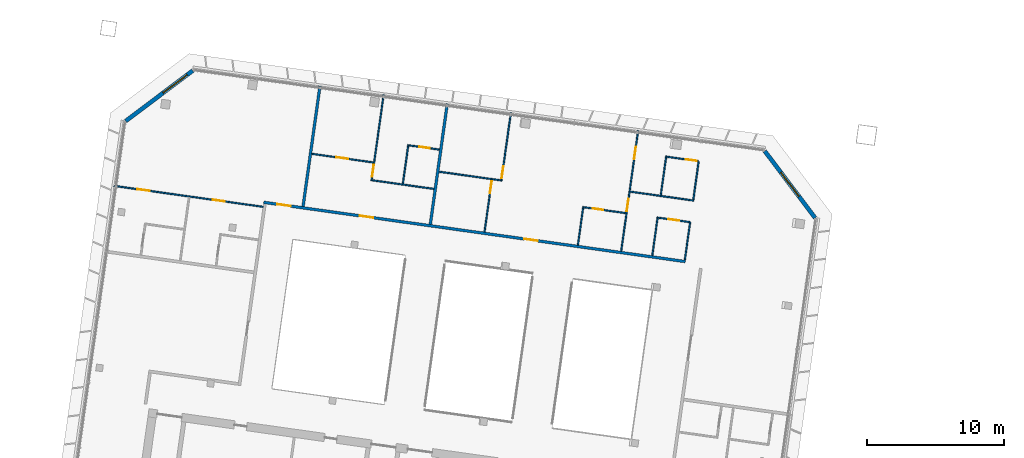
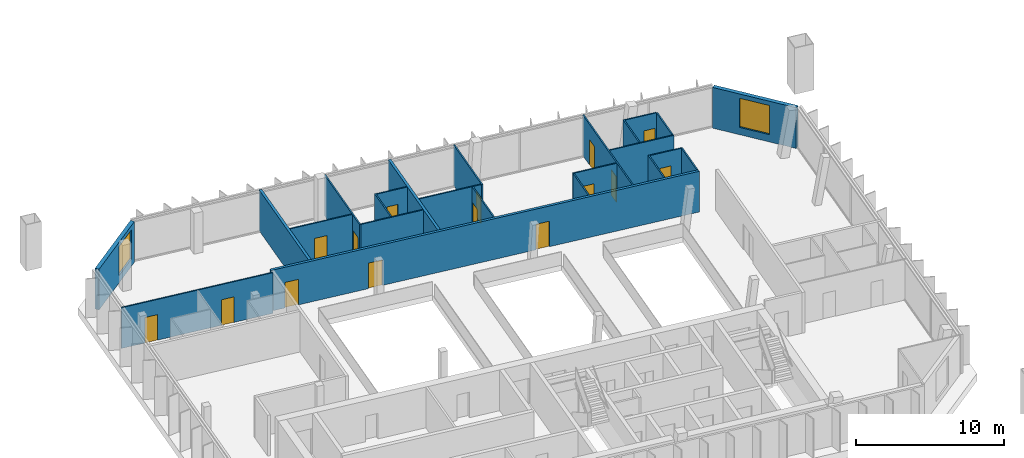
# One storey, part 14 of 20: 24 walls, 15 doors, 2 windows, 17 openings.
"""IFC4 building model written with IfcOpenShell, lengths in metres."""

from ifc_helpers import new_model, si_unit, direction, frame, frame_2d, origin, place, context, subcontext, project, spatial, rectangle, extrude, material, layer, layer_set, type_object, element, fill, save


model = new_model("IFC4")

# Units and contexts
model_context = context("Model", 3, precision=1e-05, world=origin(), true_north=direction((0.0, 1.0)))
body_context = subcontext(model_context, "Body", "Model", "MODEL_VIEW")
ifc_project = project(units=[si_unit("LENGTHUNIT", "METRE"), si_unit("AREAUNIT", "SQUARE_METRE"), si_unit("VOLUMEUNIT", "CUBIC_METRE"), si_unit("PLANEANGLEUNIT", "RADIAN"), si_unit("MASSUNIT", "GRAM", prefix="KILO")], contexts=[model_context])

# Site, building, storey
site_placement = place(None, origin())
site = spatial("IfcSite", under=ifc_project, at=site_placement, CompositionType="ELEMENT")
building_placement = place(site_placement, origin())
building = spatial("IfcBuilding", under=site, at=building_placement, Name="Mirante Cascada Hotel Towers", CompositionType="ELEMENT")
storey_placement = place(building_placement, frame((0.0, 0.0, 224.2)))
storey = spatial("IfcBuildingStorey", under=building, at=storey_placement, Name="L53", CompositionType="ELEMENT", Elevation=224.2)

# Wall, openings, doors
ifc_material_1 = material(Name="Fire-rated plasterboard on metal studs")
ifc_layer_1 = layer(ifc_material_1, 0.2)
ifc_layer_set_1 = layer_set([ifc_layer_1], Name="Compartment wall 200 EI 120")
wall_type_1 = type_object("IfcWallType", Name="Compartment wall 200 EI 120", PredefinedType="PARTITIONING", material=ifc_layer_set_1)
wall_1_placement = place(storey_placement, frame((-31.471, 8.305, 0.0), z_axis=(0.0, 0.0, 1.0), x_axis=(-0.9902679, 0.1391745, 0.0)))
wall_1 = element("IfcWall", 1, at=wall_1_placement, inside=storey, type_object=wall_type_1, Name="Wall 1-L53-14", PredefinedType="PARTITIONING", context=body_context, shape_type="SweptSolid", body=[
    extrude(rectangle(XDim=31.1092, YDim=0.2, at=frame_2d((15.5546, 0.0))), origin(), (0.0, 0.0, 1.0), 3.35),
])
opening_1_placement = place(wall_1_placement, frame((10.8847, 0.0, 0.0)))
opening_1 = element("IfcOpeningElement", 2, at=opening_1_placement, cuts=wall_1, Name="Opening D1-L53-06", PredefinedType="OPENING", context=body_context, shape_type="SweptSolid", body=[
    extrude(rectangle(XDim=1.0, YDim=2.1, at=frame_2d((0.5, 1.05))), frame((0.0, 0.1, 0.0), z_axis=(0.0, -1.0, 0.0), x_axis=(1.0, 0.0, 0.0)), (0.0, 0.0, 1.0), 0.2),
])
opening_2_placement = place(wall_1_placement, frame((23.0244, 0.0, 0.0)))
opening_2 = element("IfcOpeningElement", 3, at=opening_2_placement, cuts=wall_1, Name="Opening D1-L53-07", PredefinedType="OPENING", context=body_context, shape_type="SweptSolid", body=[
    extrude(rectangle(XDim=1.0, YDim=2.1, at=frame_2d((0.5, 1.05))), frame((0.0, 0.1, 0.0), z_axis=(0.0, -1.0, 0.0), x_axis=(1.0, 0.0, 0.0)), (0.0, 0.0, 1.0), 0.2),
])
opening_3_placement = place(wall_1_placement, frame((29.1142, 0.0, 0.0)))
opening_3 = element("IfcOpeningElement", 4, at=opening_3_placement, cuts=wall_1, Name="Opening D1-L53-08", PredefinedType="OPENING", context=body_context, shape_type="SweptSolid", body=[
    extrude(rectangle(XDim=1.0, YDim=2.1, at=frame_2d((0.5, 1.05))), frame((0.0, 0.1, 0.0), z_axis=(0.0, -1.0, 0.0), x_axis=(1.0, 0.0, 0.0)), (0.0, 0.0, 1.0), 0.2),
])
ifc_material_2 = material(Name="Fire-rated timber door leaf", Category="wood")
door_type_1 = type_object("IfcDoorType", Name="Entrance door DG1 1000x2100 EI 60", OperationType="SINGLE_SWING_LEFT", PredefinedType="DOOR", material=ifc_material_2)
door_1_placement = place(opening_1_placement, frame((1.0, 0.0, 0.0), z_axis=(0.0, 0.0, 1.0), x_axis=(-1.0, 0.0, 0.0)))
door_1 = element("IfcDoor", 5, at=door_1_placement, inside=storey, type_object=door_type_1, Name="Door D1-L53-06", OperationType="SINGLE_SWING_RIGHT", OverallHeight=2.1, OverallWidth=1.0, PredefinedType="DOOR", context=body_context, shape_type="SweptSolid", body=[
    extrude(rectangle(XDim=1.0, YDim=2.1, at=frame_2d((0.5, 1.05))), frame((0.0, 0.025, 0.0), z_axis=(0.0, -1.0, 0.0), x_axis=(1.0, 0.0, 0.0)), (0.0, 0.0, 1.0), 0.05),
])
fill(opening_1, door_1)
door_2_placement = place(opening_2_placement, frame((1.0, 0.0, 0.0), z_axis=(0.0, 0.0, 1.0), x_axis=(-1.0, 0.0, 0.0)))
door_2 = element("IfcDoor", 6, at=door_2_placement, inside=storey, type_object=door_type_1, Name="Door D1-L53-07", OperationType="SINGLE_SWING_RIGHT", OverallHeight=2.1, OverallWidth=1.0, PredefinedType="DOOR", context=body_context, shape_type="SweptSolid", body=[
    extrude(rectangle(XDim=1.0, YDim=2.1, at=frame_2d((0.5, 1.05))), frame((0.0, 0.025, 0.0), z_axis=(0.0, -1.0, 0.0), x_axis=(1.0, 0.0, 0.0)), (0.0, 0.0, 1.0), 0.05),
])
fill(opening_2, door_2)
door_3_placement = place(opening_3_placement, frame((1.0, 0.0, 0.0), z_axis=(0.0, 0.0, 1.0), x_axis=(-1.0, 0.0, 0.0)))
door_3 = element("IfcDoor", 7, at=door_3_placement, inside=storey, type_object=door_type_1, Name="Door D1-L53-08", OperationType="SINGLE_SWING_RIGHT", OverallHeight=2.1, OverallWidth=1.0, PredefinedType="DOOR", context=body_context, shape_type="SweptSolid", body=[
    extrude(rectangle(XDim=1.0, YDim=2.1, at=frame_2d((0.5, 1.05))), frame((0.0, 0.025, 0.0), z_axis=(0.0, -1.0, 0.0), x_axis=(1.0, 0.0, 0.0)), (0.0, 0.0, 1.0), 0.05),
])
fill(opening_3, door_3)

# Walls
for number, where, z_axis, x_axis, name in (
    (8, (-50.1034, 11.0246, 0.0), (0.0, 0.0, 1.0), (0.1391794, 0.9902672, 0.0), "Wall 1-L53-36"),
    (9, (-58.1631, 21.1448, 0.0), (0.0, 0.0, 1.0), (-0.1391794, -0.9902672, 0.0), "Wall 1-L53-39"),
):
    element("IfcWall", number, at=place(storey_placement, frame(where, z_axis=z_axis, x_axis=x_axis)), inside=storey, type_object=wall_type_1, Name=name, PredefinedType="PARTITIONING", context=body_context, shape_type="SweptSolid", body=[
        extrude(rectangle(XDim=8.9, YDim=0.2, at=frame_2d((4.45, 0.0))), origin(), (0.0, 0.0, 1.0), 3.35),
    ])

# Wall, openings, doors
ifc_material_3 = material(Name="Plasterboard on metal studs")
ifc_layer_2 = layer(ifc_material_3, 0.1)
ifc_layer_set_2 = layer_set([ifc_layer_2], Name="Partition 100")
wall_type_2 = type_object("IfcWallType", Name="Partition 100", PredefinedType="PARTITIONING", material=ifc_layer_set_2)
wall_2_placement = place(storey_placement, frame((-73.2167, 13.8354, 0.0), z_axis=(0.0, 0.0, 1.0), x_axis=(0.990268, -0.1391733, 0.0)))
wall_2 = element("IfcWall", 10, at=wall_2_placement, inside=storey, type_object=wall_type_2, Name="Wall 1-L53-13", PredefinedType="PARTITIONING", context=body_context, shape_type="SweptSolid", body=[
    extrude(rectangle(XDim=11.0, YDim=0.1, at=frame_2d((5.5, 0.0))), origin(), (0.0, 0.0, 1.0), 3.35),
])
opening_4_placement = place(wall_2_placement, frame((7.275, 0.0, 0.0)))
opening_4 = element("IfcOpeningElement", 11, at=opening_4_placement, cuts=wall_2, Name="Opening D1-L53-04", PredefinedType="OPENING", context=body_context, shape_type="SweptSolid", body=[
    extrude(rectangle(XDim=0.9, YDim=2.1, at=frame_2d((0.45, 1.05))), frame((0.0, 0.05, 0.0), z_axis=(0.0, -1.0, 0.0), x_axis=(1.0, 0.0, 0.0)), (0.0, 0.0, 1.0), 0.1),
])
opening_5_placement = place(wall_2_placement, frame((1.725, 0.0, 0.0)))
opening_5 = element("IfcOpeningElement", 12, at=opening_5_placement, cuts=wall_2, Name="Opening D1-L53-05", PredefinedType="OPENING", context=body_context, shape_type="SweptSolid", body=[
    extrude(rectangle(XDim=0.9, YDim=2.1, at=frame_2d((0.45, 1.05))), frame((0.0, 0.05, 0.0), z_axis=(0.0, -1.0, 0.0), x_axis=(1.0, 0.0, 0.0)), (0.0, 0.0, 1.0), 0.1),
])
ifc_material_4 = material(Name="Timber door leaf", Category="wood")
door_type_2 = type_object("IfcDoorType", Name="Room door DG3 900x2100", OperationType="SINGLE_SWING_LEFT", PredefinedType="DOOR", material=ifc_material_4)
door_4_placement = place(opening_4_placement, origin())
door_4 = element("IfcDoor", 13, at=door_4_placement, inside=storey, type_object=door_type_2, Name="Door D1-L53-04", OperationType="SINGLE_SWING_LEFT", OverallHeight=2.1, OverallWidth=0.9, PredefinedType="DOOR", context=body_context, shape_type="SweptSolid", body=[
    extrude(rectangle(XDim=0.9, YDim=2.1, at=frame_2d((0.45, 1.05))), frame((0.0, 0.025, 0.0), z_axis=(0.0, -1.0, 0.0), x_axis=(1.0, 0.0, 0.0)), (0.0, 0.0, 1.0), 0.05),
])
fill(opening_4, door_4)
door_5_placement = place(opening_5_placement, origin())
door_5 = element("IfcDoor", 14, at=door_5_placement, inside=storey, type_object=door_type_2, Name="Door D1-L53-05", OperationType="SINGLE_SWING_LEFT", OverallHeight=2.1, OverallWidth=0.9, PredefinedType="DOOR", context=body_context, shape_type="SweptSolid", body=[
    extrude(rectangle(XDim=0.9, YDim=2.1, at=frame_2d((0.45, 1.05))), frame((0.0, 0.025, 0.0), z_axis=(0.0, -1.0, 0.0), x_axis=(1.0, 0.0, 0.0)), (0.0, 0.0, 1.0), 0.05),
])
fill(opening_5, door_5)

# Wall
wall_3_placement = place(storey_placement, frame((-54.3412, 14.2457, 0.0), z_axis=(0.0, 0.0, 1.0), x_axis=(0.990269, -0.1391662, 0.0)))
element("IfcWall", 15, at=wall_3_placement, inside=storey, type_object=wall_type_2, Name="Wall 1-L53-15", PredefinedType="PARTITIONING", context=body_context, shape_type="SweptSolid", body=[
    extrude(rectangle(XDim=4.5449, YDim=0.1, at=frame_2d((2.2724, 0.0))), origin(), (0.0, 0.0, 1.0), 3.35),
])

# Wall, opening, door
wall_4_placement = place(storey_placement, frame((-31.1665, 11.1907, 0.0), z_axis=(0.0, 0.0, 1.0), x_axis=(-0.9902678, 0.1391749, 0.0)))
wall_4 = element("IfcWall", 16, at=wall_4_placement, inside=storey, type_object=wall_type_2, Name="Wall 1-L53-16", PredefinedType="PARTITIONING", context=body_context, shape_type="SweptSolid", body=[
    extrude(rectangle(XDim=2.3, YDim=0.1, at=frame_2d((1.15, 0.0))), origin(), (0.0, 0.0, 1.0), 3.35),
])
opening_6_placement = place(wall_4_placement, frame((0.75, 0.0, 0.0)))
opening_6 = element("IfcOpeningElement", 17, at=opening_6_placement, cuts=wall_4, Name="Opening D1-L53-09", PredefinedType="OPENING", context=body_context, shape_type="SweptSolid", body=[
    extrude(rectangle(XDim=0.8, YDim=2.1, at=frame_2d((0.4, 1.05))), frame((0.0, 0.05, 0.0), z_axis=(0.0, -1.0, 0.0), x_axis=(1.0, 0.0, 0.0)), (0.0, 0.0, 1.0), 0.1),
])
ifc_material_5 = material(Name="Timber door leaf", Category="wood")
door_type_3 = type_object("IfcDoorType", Name="Bathroom door DG4 800x2100", OperationType="SINGLE_SWING_LEFT", PredefinedType="DOOR", material=ifc_material_5)
door_6_placement = place(opening_6_placement, origin())
door_6 = element("IfcDoor", 18, at=door_6_placement, inside=storey, type_object=door_type_3, Name="Door D1-L53-09", OperationType="SINGLE_SWING_LEFT", OverallHeight=2.1, OverallWidth=0.8, PredefinedType="DOOR", context=body_context, shape_type="SweptSolid", body=[
    extrude(rectangle(XDim=0.8, YDim=2.1, at=frame_2d((0.4, 1.05))), frame((0.0, 0.025, 0.0), z_axis=(0.0, -1.0, 0.0), x_axis=(1.0, 0.0, 0.0)), (0.0, 0.0, 1.0), 0.05),
])
fill(opening_6, door_6)

wall_5_placement = place(storey_placement, frame((-38.9795, 12.2888, 0.0), z_axis=(0.0, 0.0, 1.0), x_axis=(0.9902656, -0.1391906, 0.0)))
wall_5 = element("IfcWall", 19, at=wall_5_placement, inside=storey, type_object=wall_type_2, Name="Wall 1-L53-17", PredefinedType="PARTITIONING", context=body_context, shape_type="SweptSolid", body=[
    extrude(rectangle(XDim=3.1949, YDim=0.1, at=frame_2d((1.5974, 0.0))), origin(), (0.0, 0.0, 1.0), 3.35),
])
opening_7_placement = place(wall_5_placement, frame((0.7398, 0.0, 0.0)))
opening_7 = element("IfcOpeningElement", 20, at=opening_7_placement, cuts=wall_5, Name="Opening D1-L53-10", PredefinedType="OPENING", context=body_context, shape_type="SweptSolid", body=[
    extrude(rectangle(XDim=0.8, YDim=2.1, at=frame_2d((0.4, 1.05))), frame((0.0, 0.05, 0.0), z_axis=(0.0, -1.0, 0.0), x_axis=(1.0, 0.0, 0.0)), (0.0, 0.0, 1.0), 0.1),
])
door_7_placement = place(opening_7_placement, origin())
door_7 = element("IfcDoor", 21, at=door_7_placement, inside=storey, type_object=door_type_3, Name="Door D1-L53-10", OperationType="SINGLE_SWING_LEFT", OverallHeight=2.1, OverallWidth=0.8, PredefinedType="DOOR", context=body_context, shape_type="SweptSolid", body=[
    extrude(rectangle(XDim=0.8, YDim=2.1, at=frame_2d((0.4, 1.05))), frame((0.0, 0.025, 0.0), z_axis=(0.0, -1.0, 0.0), x_axis=(1.0, 0.0, 0.0)), (0.0, 0.0, 1.0), 0.05),
])
fill(opening_7, door_7)

# Wall
wall_6_placement = place(storey_placement, frame((-44.961, 14.2402, 0.0), z_axis=(0.0, 0.0, 1.0), x_axis=(-0.9902686, 0.1391692, 0.0)))
element("IfcWall", 22, at=wall_6_placement, inside=storey, type_object=wall_type_2, Name="Wall 1-L53-18", PredefinedType="PARTITIONING", context=body_context, shape_type="SweptSolid", body=[
    extrude(rectangle(XDim=4.5448, YDim=0.1, at=frame_2d((2.2724, 0.0))), origin(), (0.0, 0.0, 1.0), 3.35),
])

# Wall, opening, door
wall_7_placement = place(storey_placement, frame((-58.76, 16.1795, 0.0), z_axis=(0.0, 0.0, 1.0), x_axis=(0.990269, -0.1391662, 0.0)))
wall_7 = element("IfcWall", 23, at=wall_7_placement, inside=storey, type_object=wall_type_2, Name="Wall 1-L53-19", PredefinedType="PARTITIONING", context=body_context, shape_type="SweptSolid", body=[
    extrude(rectangle(XDim=4.5449, YDim=0.1, at=frame_2d((2.2724, 0.0))), origin(), (0.0, 0.0, 1.0), 3.35),
])
opening_8_placement = place(wall_7_placement, frame((1.7974, 0.0, 0.0)))
opening_8 = element("IfcOpeningElement", 24, at=opening_8_placement, cuts=wall_7, Name="Opening D1-L53-11", PredefinedType="OPENING", context=body_context, shape_type="SweptSolid", body=[
    extrude(rectangle(XDim=0.9, YDim=2.1, at=frame_2d((0.45, 1.05))), frame((0.0, 0.05, 0.0), z_axis=(0.0, -1.0, 0.0), x_axis=(1.0, 0.0, 0.0)), (0.0, 0.0, 1.0), 0.1),
])
door_8_placement = place(opening_8_placement, frame((0.9, 0.0, 0.0), z_axis=(0.0, 0.0, 1.0), x_axis=(-1.0, 0.0, 0.0)))
door_8 = element("IfcDoor", 25, at=door_8_placement, inside=storey, type_object=door_type_2, Name="Door D1-L53-11", OperationType="SINGLE_SWING_RIGHT", OverallHeight=2.1, OverallWidth=0.9, PredefinedType="DOOR", context=body_context, shape_type="SweptSolid", body=[
    extrude(rectangle(XDim=0.9, YDim=2.1, at=frame_2d((0.45, 1.05))), frame((0.0, 0.025, 0.0), z_axis=(0.0, -1.0, 0.0), x_axis=(1.0, 0.0, 0.0)), (0.0, 0.0, 1.0), 0.05),
])
fill(opening_8, door_8)

# Wall
wall_8_placement = place(storey_placement, frame((-30.8448, 12.7612, 0.0), z_axis=(0.0, 0.0, 1.0), x_axis=(-0.9902681, 0.1391726, 0.0)))
element("IfcWall", 26, at=wall_8_placement, inside=storey, type_object=wall_type_2, Name="Wall 1-L53-20", PredefinedType="PARTITIONING", context=body_context, shape_type="SweptSolid", body=[
    extrude(rectangle(XDim=4.6949, YDim=0.1, at=frame_2d((2.3474, 0.0))), origin(), (0.0, 0.0, 1.0), 3.35),
])

# Wall, opening, door
wall_9_placement = place(storey_placement, frame((-51.665, 16.7981, 0.0), z_axis=(0.0, 0.0, 1.0), x_axis=(0.9902705, -0.1391561, 0.0)))
wall_9 = element("IfcWall", 27, at=wall_9_placement, inside=storey, type_object=wall_type_2, Name="Wall 1-L53-21", PredefinedType="PARTITIONING", context=body_context, shape_type="SweptSolid", body=[
    extrude(rectangle(XDim=2.25, YDim=0.1, at=frame_2d((1.125, 0.0))), origin(), (0.0, 0.0, 1.0), 3.35),
])
opening_9_placement = place(wall_9_placement, frame((0.75, 0.0, 0.0)))
opening_9 = element("IfcOpeningElement", 28, at=opening_9_placement, cuts=wall_9, Name="Opening D1-L53-12", PredefinedType="OPENING", context=body_context, shape_type="SweptSolid", body=[
    extrude(rectangle(XDim=0.8, YDim=2.1, at=frame_2d((0.4, 1.05))), frame((0.0, 0.05, 0.0), z_axis=(0.0, -1.0, 0.0), x_axis=(1.0, 0.0, 0.0)), (0.0, 0.0, 1.0), 0.1),
])
door_9_placement = place(opening_9_placement, origin())
door_9 = element("IfcDoor", 29, at=door_9_placement, inside=storey, type_object=door_type_3, Name="Door D1-L53-12", OperationType="SINGLE_SWING_LEFT", OverallHeight=2.1, OverallWidth=0.8, PredefinedType="DOOR", context=body_context, shape_type="SweptSolid", body=[
    extrude(rectangle(XDim=0.8, YDim=2.1, at=frame_2d((0.4, 1.05))), frame((0.0, 0.025, 0.0), z_axis=(0.0, -1.0, 0.0), x_axis=(1.0, 0.0, 0.0)), (0.0, 0.0, 1.0), 0.05),
])
fill(opening_9, door_9)

wall_10_placement = place(storey_placement, frame((-30.5402, 15.6469, 0.0), z_axis=(0.0, 0.0, 1.0), x_axis=(-0.9902678, 0.1391749, 0.0)))
wall_10 = element("IfcWall", 30, at=wall_10_placement, inside=storey, type_object=wall_type_2, Name="Wall 1-L53-22", PredefinedType="PARTITIONING", context=body_context, shape_type="SweptSolid", body=[
    extrude(rectangle(XDim=2.3, YDim=0.1, at=frame_2d((1.15, 0.0))), origin(), (0.0, 0.0, 1.0), 3.35),
])
opening_10_placement = place(wall_10_placement, frame((0.1, 0.0, 0.0)))
opening_10 = element("IfcOpeningElement", 31, at=opening_10_placement, cuts=wall_10, Name="Opening D1-L53-13", PredefinedType="OPENING", context=body_context, shape_type="SweptSolid", body=[
    extrude(rectangle(XDim=0.8, YDim=2.1, at=frame_2d((0.4, 1.05))), frame((0.0, 0.05, 0.0), z_axis=(0.0, -1.0, 0.0), x_axis=(1.0, 0.0, 0.0)), (0.0, 0.0, 1.0), 0.1),
])
door_10_placement = place(opening_10_placement, origin())
door_10 = element("IfcDoor", 32, at=door_10_placement, inside=storey, type_object=door_type_3, Name="Door D1-L53-13", OperationType="SINGLE_SWING_LEFT", OverallHeight=2.1, OverallWidth=0.8, PredefinedType="DOOR", context=body_context, shape_type="SweptSolid", body=[
    extrude(rectangle(XDim=0.8, YDim=2.1, at=frame_2d((0.4, 1.05))), frame((0.0, 0.025, 0.0), z_axis=(0.0, -1.0, 0.0), x_axis=(1.0, 0.0, 0.0)), (0.0, 0.0, 1.0), 0.05),
])
fill(opening_10, door_10)

# Walls
for number, where, z_axis, x_axis, name in (
    (33, (-31.5025, 8.4407, 0.0), (0.0, 0.0, 1.0), (0.139173, 0.9902681, 0.0), "Wall 1-L53-28"),
    (34, (-30.4948, 15.6103, 0.0), (0.0, 0.0, 1.0), (-0.139173, -0.9902681, 0.0), "Wall 1-L53-29"),
):
    element("IfcWall", number, at=place(storey_placement, frame(where, z_axis=z_axis, x_axis=x_axis)), inside=storey, type_object=wall_type_2, Name=name, PredefinedType="PARTITIONING", context=body_context, shape_type="SweptSolid", body=[
        extrude(rectangle(XDim=2.7901, YDim=0.1, at=frame_2d((1.395, 0.0))), origin(), (0.0, 0.0, 1.0), 3.35),
    ])
wall_11_placement = place(storey_placement, frame((-33.8833, 8.745, 0.0), z_axis=(0.0, 0.0, 1.0), x_axis=(0.1391909, 0.9902656, 0.0)))
element("IfcWall", 35, at=wall_11_placement, inside=storey, type_object=wall_type_2, Name="Wall 1-L53-30", PredefinedType="PARTITIONING", context=body_context, shape_type="SweptSolid", body=[
    extrude(rectangle(XDim=2.85, YDim=0.1, at=frame_2d((1.425, 0.0))), origin(), (0.0, 0.0, 1.0), 3.35),
])
wall_12_placement = place(storey_placement, frame((-32.8604, 16.0235, 0.0), z_axis=(0.0, 0.0, 1.0), x_axis=(-0.1391714, -0.9902683, 0.0)))
element("IfcWall", 36, at=wall_12_placement, inside=storey, type_object=wall_type_2, Name="Wall 1-L53-31", PredefinedType="PARTITIONING", context=body_context, shape_type="SweptSolid", body=[
    extrude(rectangle(XDim=2.9, YDim=0.1, at=frame_2d((1.45, 0.0))), origin(), (0.0, 0.0, 1.0), 3.35),
])

# Wall, openings, doors
wall_13_placement = place(storey_placement, frame((-36.1558, 9.0644, 0.0), z_axis=(0.0, 0.0, 1.0), x_axis=(0.1391684, 0.9902687, 0.0)))
wall_13 = element("IfcWall", 37, at=wall_13_placement, inside=storey, type_object=wall_type_2, Name="Wall 1-L53-32", PredefinedType="PARTITIONING", context=body_context, shape_type="SweptSolid", body=[
    extrude(rectangle(XDim=8.9, YDim=0.1, at=frame_2d((4.45, 0.0))), origin(), (0.0, 0.0, 1.0), 3.35),
])
opening_11_placement = place(wall_13_placement, frame((2.95, 0.0, 0.0)))
opening_11 = element("IfcOpeningElement", 38, at=opening_11_placement, cuts=wall_13, Name="Opening D1-L53-18", PredefinedType="OPENING", context=body_context, shape_type="SweptSolid", body=[
    extrude(rectangle(XDim=0.9, YDim=2.1, at=frame_2d((0.45, 1.05))), frame((0.0, 0.05, 0.0), z_axis=(0.0, -1.0, 0.0), x_axis=(1.0, 0.0, 0.0)), (0.0, 0.0, 1.0), 0.1),
])
opening_12_placement = place(wall_13_placement, frame((6.8, 0.0, 0.0)))
opening_12 = element("IfcOpeningElement", 39, at=opening_12_placement, cuts=wall_13, Name="Opening D1-L53-19", PredefinedType="OPENING", context=body_context, shape_type="SweptSolid", body=[
    extrude(rectangle(XDim=0.9, YDim=2.1, at=frame_2d((0.45, 1.05))), frame((0.0, 0.05, 0.0), z_axis=(0.0, -1.0, 0.0), x_axis=(1.0, 0.0, 0.0)), (0.0, 0.0, 1.0), 0.1),
])
door_11_placement = place(opening_11_placement, origin())
door_11 = element("IfcDoor", 40, at=door_11_placement, inside=storey, type_object=door_type_2, Name="Door D1-L53-18", OperationType="SINGLE_SWING_LEFT", OverallHeight=2.1, OverallWidth=0.9, PredefinedType="DOOR", context=body_context, shape_type="SweptSolid", body=[
    extrude(rectangle(XDim=0.9, YDim=2.1, at=frame_2d((0.45, 1.05))), frame((0.0, 0.025, 0.0), z_axis=(0.0, -1.0, 0.0), x_axis=(1.0, 0.0, 0.0)), (0.0, 0.0, 1.0), 0.05),
])
fill(opening_11, door_11)
door_12_placement = place(opening_12_placement, origin())
door_12 = element("IfcDoor", 41, at=door_12_placement, inside=storey, type_object=door_type_2, Name="Door D1-L53-19", OperationType="SINGLE_SWING_LEFT", OverallHeight=2.1, OverallWidth=0.9, PredefinedType="DOOR", context=body_context, shape_type="SweptSolid", body=[
    extrude(rectangle(XDim=0.9, YDim=2.1, at=frame_2d((0.45, 1.05))), frame((0.0, 0.025, 0.0), z_axis=(0.0, -1.0, 0.0), x_axis=(1.0, 0.0, 0.0)), (0.0, 0.0, 1.0), 0.05),
])
fill(opening_12, door_12)

# Wall
wall_14_placement = place(storey_placement, frame((-38.9369, 12.2323, 0.0), z_axis=(0.0, 0.0, 1.0), x_axis=(-0.1391607, -0.9902698, 0.0)))
element("IfcWall", 42, at=wall_14_placement, inside=storey, type_object=wall_type_2, Name="Wall 1-L53-33", PredefinedType="PARTITIONING", context=body_context, shape_type="SweptSolid", body=[
    extrude(rectangle(XDim=2.7501, YDim=0.1, at=frame_2d((1.3751, 0.0))), origin(), (0.0, 0.0, 1.0), 3.35),
])

# Wall, opening, door
wall_15_placement = place(storey_placement, frame((-44.9184, 14.1837, 0.0), z_axis=(0.0, 0.0, 1.0), x_axis=(0.1391671, 0.9902689, 0.0)))
wall_15 = element("IfcWall", 43, at=wall_15_placement, inside=storey, type_object=wall_type_2, Name="Wall 1-L53-34", PredefinedType="PARTITIONING", context=body_context, shape_type="SweptSolid", body=[
    extrude(rectangle(XDim=5.05, YDim=0.1, at=frame_2d((2.525, 0.0))), origin(), (0.0, 0.0, 1.0), 3.35),
])
opening_13_placement = place(wall_15_placement, frame((0.2, 0.0, 0.0)))
opening_13 = element("IfcOpeningElement", 44, at=opening_13_placement, cuts=wall_15, Name="Opening D1-L53-20", PredefinedType="OPENING", context=body_context, shape_type="SweptSolid", body=[
    extrude(rectangle(XDim=0.9, YDim=2.1, at=frame_2d((0.45, 1.05))), frame((0.0, 0.05, 0.0), z_axis=(0.0, -1.0, 0.0), x_axis=(1.0, 0.0, 0.0)), (0.0, 0.0, 1.0), 0.1),
])
door_13_placement = place(opening_13_placement, frame((0.9, 0.0, 0.0), z_axis=(0.0, 0.0, 1.0), x_axis=(-1.0, 0.0, 0.0)))
door_13 = element("IfcDoor", 45, at=door_13_placement, inside=storey, type_object=door_type_2, Name="Door D1-L53-20", OperationType="SINGLE_SWING_RIGHT", OverallHeight=2.1, OverallWidth=0.9, PredefinedType="DOOR", context=body_context, shape_type="SweptSolid", body=[
    extrude(rectangle(XDim=0.9, YDim=2.1, at=frame_2d((0.45, 1.05))), frame((0.0, 0.025, 0.0), z_axis=(0.0, -1.0, 0.0), x_axis=(1.0, 0.0, 0.0)), (0.0, 0.0, 1.0), 0.05),
])
fill(opening_13, door_13)

wall_16_placement = place(storey_placement, frame((-45.6065, 14.2804, 0.0), z_axis=(0.0, 0.0, 1.0), x_axis=(-0.1391701, -0.9902685, 0.0)))
wall_16 = element("IfcWall", 46, at=wall_16_placement, inside=storey, type_object=wall_type_2, Name="Wall 1-L53-35", PredefinedType="PARTITIONING", context=body_context, shape_type="SweptSolid", body=[
    extrude(rectangle(XDim=3.85, YDim=0.1, at=frame_2d((1.925, 0.0))), origin(), (0.0, 0.0, 1.0), 3.35),
])
opening_14_placement = place(wall_16_placement, frame((0.1, 0.0, 0.0)))
opening_14 = element("IfcOpeningElement", 47, at=opening_14_placement, cuts=wall_16, Name="Opening D1-L53-21", PredefinedType="OPENING", context=body_context, shape_type="SweptSolid", body=[
    extrude(rectangle(XDim=0.9, YDim=2.1, at=frame_2d((0.45, 1.05))), frame((0.0, 0.05, 0.0), z_axis=(0.0, -1.0, 0.0), x_axis=(1.0, 0.0, 0.0)), (0.0, 0.0, 1.0), 0.1),
])
door_14_placement = place(opening_14_placement, origin())
door_14 = element("IfcDoor", 48, at=door_14_placement, inside=storey, type_object=door_type_2, Name="Door D1-L53-21", OperationType="SINGLE_SWING_LEFT", OverallHeight=2.1, OverallWidth=0.9, PredefinedType="DOOR", context=body_context, shape_type="SweptSolid", body=[
    extrude(rectangle(XDim=0.9, YDim=2.1, at=frame_2d((0.45, 1.05))), frame((0.0, 0.025, 0.0), z_axis=(0.0, -1.0, 0.0), x_axis=(1.0, 0.0, 0.0)), (0.0, 0.0, 1.0), 0.05),
])
fill(opening_14, door_14)

# Wall
wall_17_placement = place(storey_placement, frame((-51.7076, 16.8546, 0.0), z_axis=(0.0, 0.0, 1.0), x_axis=(-0.1391714, -0.9902683, 0.0)))
element("IfcWall", 49, at=wall_17_placement, inside=storey, type_object=wall_type_2, Name="Wall 1-L53-37", PredefinedType="PARTITIONING", context=body_context, shape_type="SweptSolid", body=[
    extrude(rectangle(XDim=2.9, YDim=0.1, at=frame_2d((1.45, 0.0))), origin(), (0.0, 0.0, 1.0), 3.35),
])

# Wall, opening, door
wall_18_placement = place(storey_placement, frame((-54.3977, 14.2032, 0.0), z_axis=(0.0, 0.0, 1.0), x_axis=(0.139181, 0.990267, 0.0)))
wall_18 = element("IfcWall", 50, at=wall_18_placement, inside=storey, type_object=wall_type_2, Name="Wall 1-L53-38", PredefinedType="PARTITIONING", context=body_context, shape_type="SweptSolid", body=[
    extrude(rectangle(XDim=6.35, YDim=0.1, at=frame_2d((3.175, 0.0))), origin(), (0.0, 0.0, 1.0), 3.35),
])
opening_15_placement = place(wall_18_placement, frame((0.3, 0.0, 0.0)))
opening_15 = element("IfcOpeningElement", 51, at=opening_15_placement, cuts=wall_18, Name="Opening D1-L53-22", PredefinedType="OPENING", context=body_context, shape_type="SweptSolid", body=[
    extrude(rectangle(XDim=0.9, YDim=2.1, at=frame_2d((0.45, 1.05))), frame((0.0, 0.05, 0.0), z_axis=(0.0, -1.0, 0.0), x_axis=(1.0, 0.0, 0.0)), (0.0, 0.0, 1.0), 0.1),
])
door_15_placement = place(opening_15_placement, origin())
door_15 = element("IfcDoor", 52, at=door_15_placement, inside=storey, type_object=door_type_2, Name="Door D1-L53-22", OperationType="SINGLE_SWING_LEFT", OverallHeight=2.1, OverallWidth=0.9, PredefinedType="DOOR", context=body_context, shape_type="SweptSolid", body=[
    extrude(rectangle(XDim=0.9, YDim=2.1, at=frame_2d((0.45, 1.05))), frame((0.0, 0.025, 0.0), z_axis=(0.0, -1.0, 0.0), x_axis=(1.0, 0.0, 0.0)), (0.0, 0.0, 1.0), 0.05),
])
fill(opening_15, door_15)

# Wall, opening, window
ifc_material_6 = material(Name="Precast concrete C40/50", Category="concrete")
ifc_layer_3 = layer(ifc_material_6, 0.3)
ifc_layer_set_3 = layer_set([ifc_layer_3], Name="Precast concrete C40/50 cladding wall 300")
wall_type_3 = type_object("IfcWallType", Name="Precast concrete C40/50 cladding wall 300", PredefinedType="STANDARD", material=ifc_layer_set_3)
wall_19_placement = place(storey_placement, frame((-72.3546, 18.5766, 0.0), z_axis=(0.0, 0.0, 1.0), x_axis=(0.7986362, 0.6018141, 0.0)))
wall_19 = element("IfcWall", 53, at=wall_19_placement, inside=storey, type_object=wall_type_3, Name="Corner cladding wall T1 L53 outer front", PredefinedType="STANDARD", context=body_context, shape_type="SweptSolid", body=[
    extrude(rectangle(XDim=6.1157, YDim=0.3, at=frame_2d((3.0578, 0.0))), origin(), (0.0, 0.0, 1.0), 3.35),
])
opening_16_placement = place(wall_19_placement, frame((3.4182, 0.0, 0.6)))
opening_16 = element("IfcOpeningElement", 54, at=opening_16_placement, cuts=wall_19, Name="Opening W1-53-03", PredefinedType="OPENING", context=body_context, shape_type="SweptSolid", body=[
    extrude(rectangle(XDim=2.2, YDim=2.4, at=frame_2d((1.1, 1.2))), frame((0.0, 0.15, 0.0), z_axis=(0.0, -1.0, 0.0), x_axis=(1.0, 0.0, 0.0)), (0.0, 0.0, 1.0), 0.3),
])
ifc_material_7 = material(Name="Aluminium frame with clear double glazing", Category="aluminium")
window_type = type_object("IfcWindowType", Name="Corner suite window 2200x2400", PartitioningType="DOUBLE_PANEL_VERTICAL", PredefinedType="WINDOW", material=ifc_material_7)
window_1_placement = place(opening_16_placement, origin())
window_1 = element("IfcWindow", 55, at=window_1_placement, inside=storey, type_object=window_type, Name="Window W1-53-03", OverallHeight=2.4, OverallWidth=2.2, PartitioningType="SINGLE_PANEL", PredefinedType="WINDOW", context=body_context, shape_type="SweptSolid", body=[
    extrude(rectangle(XDim=2.2, YDim=2.4, at=frame_2d((1.1, 1.2))), frame((0.0, 0.03, 0.0), z_axis=(0.0, -1.0, 0.0), x_axis=(1.0, 0.0, 0.0)), (0.0, 0.0, 1.0), 0.06),
])
fill(opening_16, window_1)

wall_20_placement = place(storey_placement, frame((-25.6639, 16.3816, 0.0), z_axis=(0.0, 0.0, 1.0), x_axis=(0.6018141, -0.7986362, 0.0)))
wall_20 = element("IfcWall", 56, at=wall_20_placement, inside=storey, type_object=wall_type_3, Name="Corner cladding wall T1 L53 front inner", PredefinedType="STANDARD", context=body_context, shape_type="SweptSolid", body=[
    extrude(rectangle(XDim=6.1157, YDim=0.3, at=frame_2d((3.0578, 0.0))), origin(), (0.0, 0.0, 1.0), 3.35),
])
opening_17_placement = place(wall_20_placement, frame((1.9578, 0.0, 0.6)))
opening_17 = element("IfcOpeningElement", 57, at=opening_17_placement, cuts=wall_20, Name="Opening W1-53-04", PredefinedType="OPENING", context=body_context, shape_type="SweptSolid", body=[
    extrude(rectangle(XDim=2.2, YDim=2.4, at=frame_2d((1.1, 1.2))), frame((0.0, 0.15, 0.0), z_axis=(0.0, -1.0, 0.0), x_axis=(1.0, 0.0, 0.0)), (0.0, 0.0, 1.0), 0.3),
])
window_2_placement = place(opening_17_placement, origin())
window_2 = element("IfcWindow", 58, at=window_2_placement, inside=storey, type_object=window_type, Name="Window W1-53-04", OverallHeight=2.4, OverallWidth=2.2, PartitioningType="SINGLE_PANEL", PredefinedType="WINDOW", context=body_context, shape_type="SweptSolid", body=[
    extrude(rectangle(XDim=2.2, YDim=2.4, at=frame_2d((1.1, 1.2))), frame((0.0, 0.03, 0.0), z_axis=(0.0, -1.0, 0.0), x_axis=(1.0, 0.0, 0.0)), (0.0, 0.0, 1.0), 0.06),
])
fill(opening_17, window_2)

save(model, "model.ifc")
